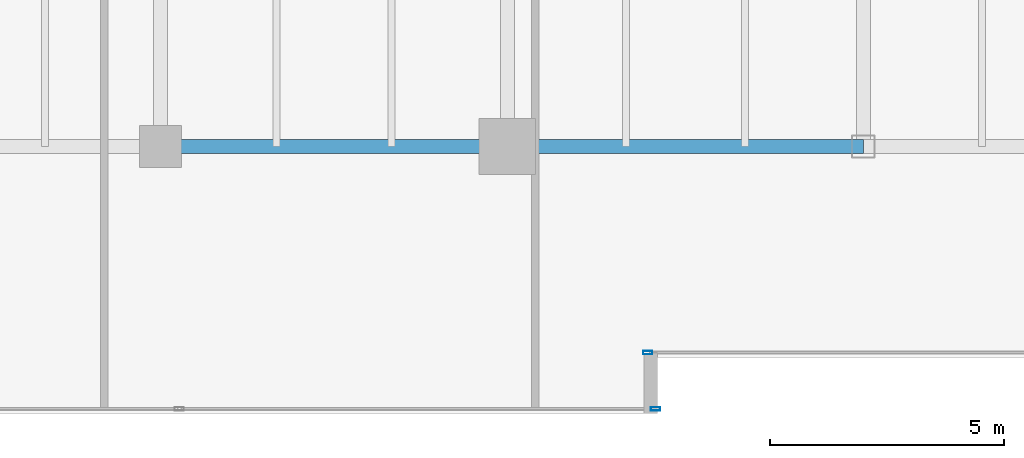
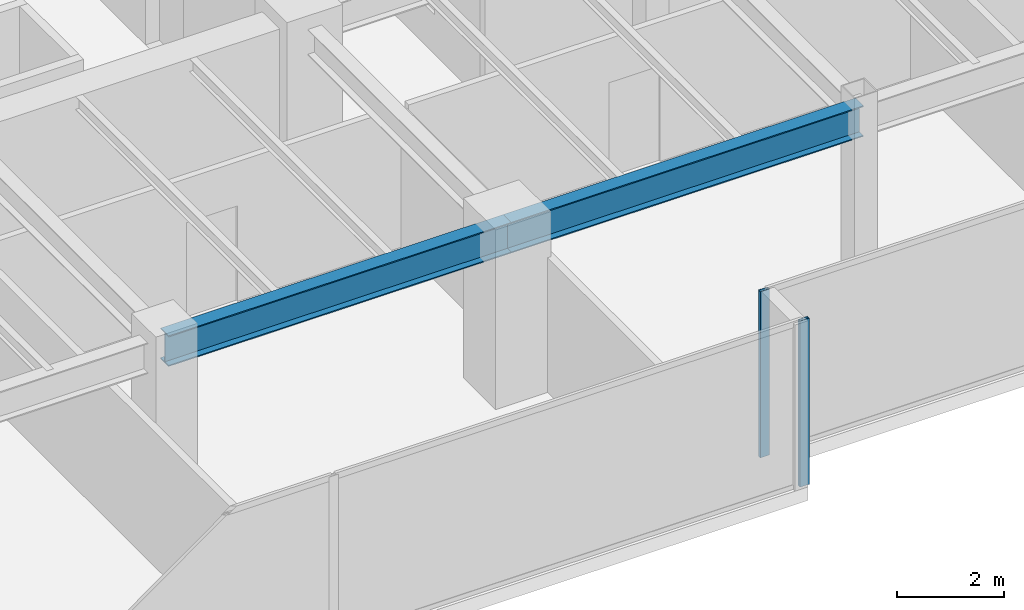
# One storey, part 4 of 30: 2 beams, 2 members, 2 elements without a shape of their own.
"""IFC4 building model written with IfcOpenShell, lengths in metres."""

from ifc_helpers import new_model, si_unit, direction, frame, origin, origin_2d, place, context, subcontext, project, spatial, hollow_rectangle, i_section, extrude, source, transform, mapped, material, layer, layer_set, material_profile, profile_set, type_object, type_shapes, element, aggregate, save


model = new_model("IFC4")

# Units and contexts
model_context = context("Model", 3, precision=1e-05, world=origin(), true_north=direction((0.0, 1.0)))
body_context = subcontext(model_context, "Body", "Model", "MODEL_VIEW")
ifc_project = project(units=[si_unit("LENGTHUNIT", "METRE"), si_unit("AREAUNIT", "SQUARE_METRE"), si_unit("VOLUMEUNIT", "CUBIC_METRE"), si_unit("PLANEANGLEUNIT", "RADIAN"), si_unit("MASSUNIT", "GRAM", prefix="KILO")], contexts=[model_context])

# Site, building, storey
site_placement = place(None, origin())
site = spatial("IfcSite", under=ifc_project, at=site_placement, CompositionType="ELEMENT")
building_placement = place(site_placement, origin())
building = spatial("IfcBuilding", under=site, at=building_placement, Name="Haelvirn Gate Laboratories", CompositionType="ELEMENT")
storey_placement = place(building_placement, frame((0.0, 0.0, 162.5)))
storey = spatial("IfcBuildingStorey", under=building, at=storey_placement, Name="L39", CompositionType="ELEMENT", Elevation=162.5)

# Beams
ifc_material_1 = material(Name="Steel SM355", Category="steel")
ifc_material_profile_1 = material_profile(ifc_material_1, i_section(OverallWidth=0.300048828125, OverallDepth=0.699951171875, WebThickness=0.012939453125, FlangeThickness=0.02392578125, at=origin_2d()), Name="H-700x300x13x24")
ifc_profile_set_1 = profile_set([ifc_material_profile_1], Name="Steel SM355")
beam_type = type_object("IfcBeamType", Name="BM-G-700", PredefinedType="BEAM", material=ifc_profile_set_1)
shared_shape_1 = source(origin(), body_context, "Body", "SweptSolid", [
    extrude(i_section(OverallWidth=0.300048828125, OverallDepth=0.699951171875, WebThickness=0.012939453125, FlangeThickness=0.02392578125, at=origin_2d()), origin(), (0.0, 0.0, 1.0), 7.39990234375),
])
beam_1_placement = place(storey_placement, frame((14.800048828125, 7.0, 3.43994140625), z_axis=(1.0, 0.0, 0.0), x_axis=(0.0, 1.0, 0.0)))
element("IfcBeam", 1, at=beam_1_placement, inside=storey, type_object=beam_type, Name="L39 Primary Girder Y7.0 (14.8-22.2)", PredefinedType="BEAM", context=body_context, shape_type="MappedRepresentation", body=[
    mapped(shared_shape_1, transform((0.0, 0.0, 0.0), scale=1.0)),
])
shared_shape_2 = source(origin(), body_context, "Body", "SweptSolid", [
    extrude(i_section(OverallWidth=0.300048828125, OverallDepth=0.699951171875, WebThickness=0.012939453125, FlangeThickness=0.02392578125, at=origin_2d()), origin(), (0.0, 0.0, 1.0), 7.60009765625),
])
type_shapes(beam_type, [shared_shape_1, shared_shape_2])
beam_2_placement = place(storey_placement, frame((22.199951171875, 7.0, 3.43994140625), z_axis=(1.0, 0.0, 0.0), x_axis=(0.0, 1.0, 0.0)))
element("IfcBeam", 2, at=beam_2_placement, inside=storey, type_object=beam_type, Name="L39 Primary Girder Y7.0 (22.2-29.8)", PredefinedType="BEAM", context=body_context, shape_type="MappedRepresentation", body=[
    mapped(shared_shape_2, transform((0.0, 0.0, 0.0), scale=1.0)),
])

# Curtain wall, member
ifc_material_2 = material(Name="Anodised bronze unitised aluminium & triple low-E glass", Category="aluminium")
ifc_layer = layer(ifc_material_2, 0.179931640625, Name="CW-SYS-3")
ifc_layer_set = layer_set([ifc_layer], Name="Anodised bronze unitised aluminium & triple low-E glass")
curtain_wall_type = type_object("IfcCurtainWallType", Name="CW-SYS-3", PredefinedType="NOTDEFINED", material=ifc_layer_set)
curtain_wall_1_placement = place(storey_placement, origin())
curtain_wall_1 = element("IfcCurtainWall", 3, at=curtain_wall_1_placement, inside=storey, type_object=curtain_wall_type, Name="L39 Unitised Curtain Wall CW-L39-P0-E00-1", PredefinedType="NOTDEFINED")
ifc_material_3 = material(Name="Extruded aluminium 6063-T6 (anodised bronze)", Category="aluminium")
ifc_material_profile_2 = material_profile(ifc_material_3, hollow_rectangle(XDim=0.074951171875, YDim=0.199951171875, WallThickness=0.0048828125, at=origin_2d()), Name="CWM-200x75x5")
ifc_profile_set_2 = profile_set([ifc_material_profile_2], Name="Extruded aluminium 6063-T6 (anodised bronze)")
member_type = type_object("IfcMemberType", Name="CWM-T200", PredefinedType="MULLION", material=ifc_profile_set_2)
shared_shape_3 = source(origin(), body_context, "Body", "SweptSolid", [
    extrude(hollow_rectangle(XDim=0.074951171875, YDim=0.199951171875, WallThickness=0.0048828125, at=origin_2d()), origin(), (0.0, 0.0, 1.0), 3.7900390625),
])
type_shapes(member_type, [shared_shape_3])
member_1_placement = place(storey_placement, frame((25.362548828125, 1.39990234375, 0.0), z_axis=(0.0, 0.0, 1.0), x_axis=(0.0, 1.0, 0.0)))
member_1 = element("IfcMember", 4, at=member_1_placement, type_object=member_type, Name="CW3 mullion 3", PredefinedType="MULLION", context=body_context, shape_type="MappedRepresentation", body=[
    mapped(shared_shape_3, transform((0.0, 0.0, 0.0), scale=1.0)),
])
aggregate(curtain_wall_1, [member_1])

curtain_wall_2_placement = place(storey_placement, origin())
curtain_wall_2 = element("IfcCurtainWall", 5, at=curtain_wall_2_placement, inside=storey, type_object=curtain_wall_type, Name="L39 Unitised Curtain Wall CW-L39-P0-E02-1", PredefinedType="NOTDEFINED")
member_2_placement = place(storey_placement, frame((25.197509765625, 2.60009765625, 0.0), z_axis=(0.0, 0.0, 1.0), x_axis=(0.0, 1.0, 0.0)))
member_2 = element("IfcMember", 6, at=member_2_placement, type_object=member_type, Name="CW3 mullion 1", PredefinedType="MULLION", context=body_context, shape_type="MappedRepresentation", body=[
    mapped(shared_shape_3, transform((0.0, 0.0, 0.0), scale=1.0)),
])
aggregate(curtain_wall_2, [member_2])

save(model, "model.ifc")
